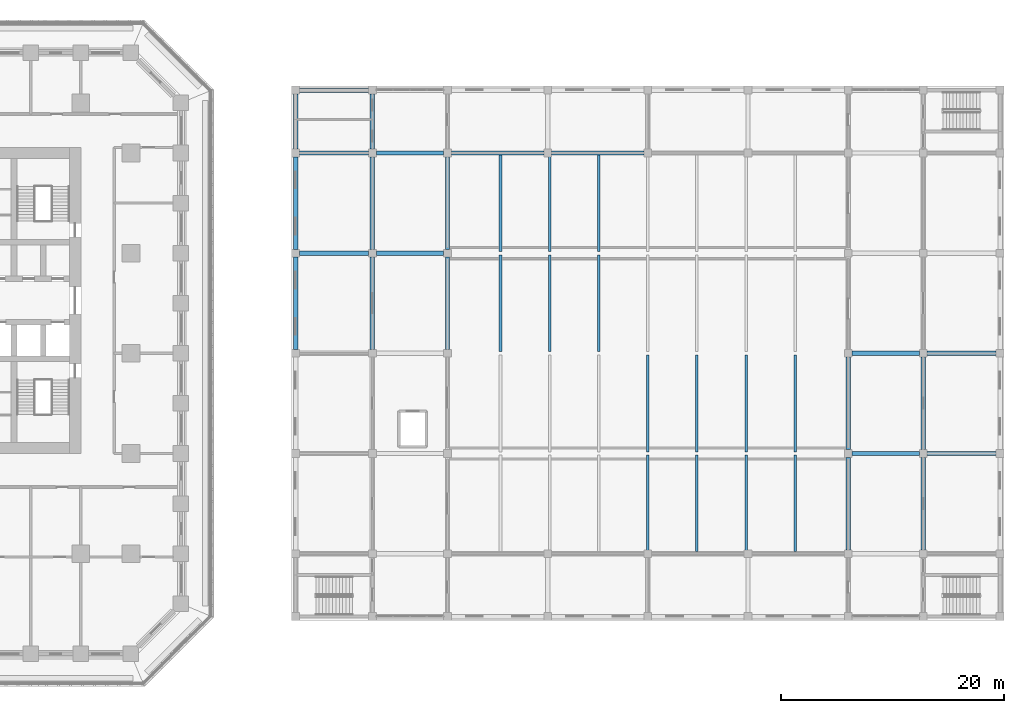
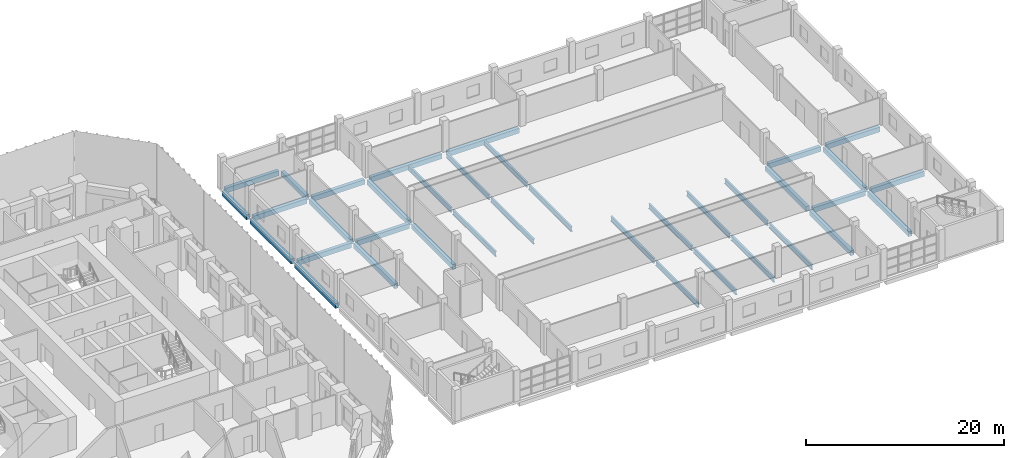
# One storey, part 5 of 31: 37 beams.
"""IFC4 building model written with IfcOpenShell, lengths in metres."""

from ifc_helpers import new_model, si_unit, direction, frame, origin, origin_2d, place, context, subcontext, project, spatial, rectangle, i_section, extrude, material, material_profile, profile_set, type_object, element, save


model = new_model("IFC4")

# Units and contexts
model_context = context("Model", 3, precision=1e-05, world=origin(), true_north=direction((0.0, 1.0)))
body_context = subcontext(model_context, "Body", "Model", "MODEL_VIEW")
ifc_project = project(units=[si_unit("LENGTHUNIT", "METRE"), si_unit("AREAUNIT", "SQUARE_METRE"), si_unit("VOLUMEUNIT", "CUBIC_METRE"), si_unit("PLANEANGLEUNIT", "RADIAN"), si_unit("MASSUNIT", "GRAM", prefix="KILO")], contexts=[model_context])

# Site, building, storey
site_placement = place(None, origin())
site = spatial("IfcSite", under=ifc_project, at=site_placement, CompositionType="ELEMENT")
building_placement = place(site_placement, origin())
building = spatial("IfcBuilding", under=site, at=building_placement, Name="Corbel Stack Research Tower", CompositionType="ELEMENT")
storey_placement = place(building_placement, frame((0.0, 0.0, 15.39990234375)))
storey = spatial("IfcBuildingStorey", under=building, at=storey_placement, Name="L03", CompositionType="ELEMENT", Elevation=15.39990234375)

# Beams
ifc_material_1 = material(Name="Concrete C40/50", Category="concrete")
ifc_material_profile_1 = material_profile(ifc_material_1, rectangle(XDim=0.39990234375, YDim=0.60009765625, at=origin_2d()), Name="RC 400 x 600")
ifc_profile_set_1 = profile_set([ifc_material_profile_1], Name="Concrete C40/50")
beam_type_1 = type_object("IfcBeamType", Name="HB1 RC beam 400 x 600", PredefinedType="BEAM", material=ifc_profile_set_1)
beam_1_placement = place(storey_placement, frame((37.300048828125, 0.35009765625, -0.5498046875), z_axis=(0.0, 1.0, 0.0), x_axis=(-1.0, 0.0, 0.0)))
element("IfcBeam", 1, at=beam_1_placement, inside=storey, type_object=beam_type_1, Name="Floor beam L03 H1HD-H1HE", PredefinedType="BEAM", context=body_context, shape_type="SweptSolid", body=[
    extrude(rectangle(XDim=0.39990234375, YDim=0.60009765625, at=origin_2d()), origin(), (0.0, 0.0, 1.0), 8.2998046875),
])
beam_2_placement = place(storey_placement, frame((37.64990234375, 9.0, -0.5498046875), z_axis=(1.0, 0.0, 0.0), x_axis=(0.0, 1.0, 0.0)))
element("IfcBeam", 2, at=beam_2_placement, inside=storey, type_object=beam_type_1, Name="Floor beam L03 H1HE-H2HE", PredefinedType="BEAM", context=body_context, shape_type="SweptSolid", body=[
    extrude(rectangle(XDim=0.39990234375, YDim=0.60009765625, at=origin_2d()), origin(), (0.0, 0.0, 1.0), 6.2001953125),
])
beam_3_placement = place(storey_placement, frame((37.300048828125, 9.35009765625, -0.5498046875), z_axis=(0.0, 1.0, 0.0), x_axis=(-1.0, 0.0, 0.0)))
element("IfcBeam", 3, at=beam_3_placement, inside=storey, type_object=beam_type_1, Name="Floor beam L03 H1HE-H1HF", PredefinedType="BEAM", context=body_context, shape_type="SweptSolid", body=[
    extrude(rectangle(XDim=0.39990234375, YDim=0.60009765625, at=origin_2d()), origin(), (0.0, 0.0, 1.0), 8.2998046875),
])
beam_4_placement = place(storey_placement, frame((37.64990234375, 18.0, -0.5498046875), z_axis=(1.0, 0.0, 0.0), x_axis=(0.0, 1.0, 0.0)))
element("IfcBeam", 4, at=beam_4_placement, inside=storey, type_object=beam_type_1, Name="Floor beam L03 H1HF-H2HF", PredefinedType="BEAM", context=body_context, shape_type="SweptSolid", body=[
    extrude(rectangle(XDim=0.39990234375, YDim=0.60009765625, at=origin_2d()), origin(), (0.0, 0.0, 1.0), 6.2001953125),
])
beam_5_placement = place(storey_placement, frame((37.300048828125, 18.35009765625, -0.5498046875), z_axis=(0.0, 1.0, 0.0), x_axis=(-1.0, 0.0, 0.0)))
element("IfcBeam", 5, at=beam_5_placement, inside=storey, type_object=beam_type_1, Name="Floor beam L03 H1HF-H1HG", PredefinedType="BEAM", context=body_context, shape_type="SweptSolid", body=[
    extrude(rectangle(XDim=0.39990234375, YDim=0.60009765625, at=origin_2d()), origin(), (0.0, 0.0, 1.0), 4.949951171875),
])
beam_6_placement = place(storey_placement, frame((37.64990234375, 23.64990234375, -0.5498046875), z_axis=(1.0, 0.0, 0.0), x_axis=(0.0, 1.0, 0.0)))
element("IfcBeam", 6, at=beam_6_placement, inside=storey, type_object=beam_type_1, Name="Floor beam L03 H1HG-H2HG", PredefinedType="BEAM", context=body_context, shape_type="SweptSolid", body=[
    extrude(rectangle(XDim=0.39990234375, YDim=0.60009765625, at=origin_2d()), origin(), (0.0, 0.0, 1.0), 6.2001953125),
])
beam_7_placement = place(storey_placement, frame((44.199951171875, 0.35009765625, -0.5498046875), z_axis=(0.0, 1.0, 0.0), x_axis=(-1.0, 0.0, 0.0)))
element("IfcBeam", 7, at=beam_7_placement, inside=storey, type_object=beam_type_1, Name="Floor beam L03 H2HD-H2HE", PredefinedType="BEAM", context=body_context, shape_type="SweptSolid", body=[
    extrude(rectangle(XDim=0.39990234375, YDim=0.60009765625, at=origin_2d()), origin(), (0.0, 0.0, 1.0), 8.2998046875),
])
beam_8_placement = place(storey_placement, frame((44.550048828125, 9.0, -0.5498046875), z_axis=(1.0, 0.0, 0.0), x_axis=(0.0, 1.0, 0.0)))
element("IfcBeam", 8, at=beam_8_placement, inside=storey, type_object=beam_type_1, Name="Floor beam L03 H2HE-H3HE", PredefinedType="BEAM", context=body_context, shape_type="SweptSolid", body=[
    extrude(rectangle(XDim=0.39990234375, YDim=0.60009765625, at=origin_2d()), origin(), (0.0, 0.0, 1.0), 6.050048828125),
])
beam_9_placement = place(storey_placement, frame((44.199951171875, 9.35009765625, -0.5498046875), z_axis=(0.0, 1.0, 0.0), x_axis=(-1.0, 0.0, 0.0)))
element("IfcBeam", 9, at=beam_9_placement, inside=storey, type_object=beam_type_1, Name="Floor beam L03 H2HE-H2HF", PredefinedType="BEAM", context=body_context, shape_type="SweptSolid", body=[
    extrude(rectangle(XDim=0.39990234375, YDim=0.60009765625, at=origin_2d()), origin(), (0.0, 0.0, 1.0), 8.2998046875),
])
beam_10_placement = place(storey_placement, frame((44.550048828125, 18.0, -0.5498046875), z_axis=(1.0, 0.0, 0.0), x_axis=(0.0, 1.0, 0.0)))
element("IfcBeam", 10, at=beam_10_placement, inside=storey, type_object=beam_type_1, Name="Floor beam L03 H2HF-H3HF", PredefinedType="BEAM", context=body_context, shape_type="SweptSolid", body=[
    extrude(rectangle(XDim=0.39990234375, YDim=0.60009765625, at=origin_2d()), origin(), (0.0, 0.0, 1.0), 6.050048828125),
])
beam_11_placement = place(storey_placement, frame((44.199951171875, 18.35009765625, -0.5498046875), z_axis=(0.0, 1.0, 0.0), x_axis=(-1.0, 0.0, 0.0)))
element("IfcBeam", 11, at=beam_11_placement, inside=storey, type_object=beam_type_1, Name="Floor beam L03 H2HF-H2HG", PredefinedType="BEAM", context=body_context, shape_type="SweptSolid", body=[
    extrude(rectangle(XDim=0.39990234375, YDim=0.60009765625, at=origin_2d()), origin(), (0.0, 0.0, 1.0), 4.949951171875),
])
for number, where, z_axis, x_axis, name in (
    (12, (50.949951171875, 0.35009765625, -0.5498046875), (0.0, 1.0, 0.0), (-1.0, 0.0, 0.0), "Floor beam L03 H3HD-H3HE"),
    (13, (50.949951171875, 9.35009765625, -0.5498046875), (0.0, 1.0, 0.0), (-1.0, 0.0, 0.0), "Floor beam L03 H3HE-H3HF"),
):
    element("IfcBeam", number, at=place(storey_placement, frame(where, z_axis=z_axis, x_axis=x_axis)), inside=storey, type_object=beam_type_1, Name=name, PredefinedType="BEAM", context=body_context, shape_type="SweptSolid", body=[
        extrude(rectangle(XDim=0.39990234375, YDim=0.60009765625, at=origin_2d()), origin(), (0.0, 0.0, 1.0), 8.2998046875),
    ])
for number, where, z_axis, x_axis, name in (
    (14, (51.300048828125, 18.0, -0.5498046875), (1.0, 0.0, 0.0), (0.0, 1.0, 0.0), "Floor beam L03 H3HF-H4HF"),
    (15, (60.300048828125, 18.0, -0.5498046875), (1.0, 0.0, 0.0), (0.0, 1.0, 0.0), "Floor beam L03 H4HF-H5HF"),
):
    element("IfcBeam", number, at=place(storey_placement, frame(where, z_axis=z_axis, x_axis=x_axis)), inside=storey, type_object=beam_type_1, Name=name, PredefinedType="BEAM", context=body_context, shape_type="SweptSolid", body=[
        extrude(rectangle(XDim=0.39990234375, YDim=0.60009765625, at=origin_2d()), origin(), (0.0, 0.0, 1.0), 8.300048828125),
    ])
beam_12_placement = place(storey_placement, frame((86.949951171875, -17.64990234375, -0.5498046875), z_axis=(0.0, 1.0, 0.0), x_axis=(-1.0, 0.0, 0.0)))
element("IfcBeam", 16, at=beam_12_placement, inside=storey, type_object=beam_type_1, Name="Floor beam L03 H7HB-H7HC", PredefinedType="BEAM", context=body_context, shape_type="SweptSolid", body=[
    extrude(rectangle(XDim=0.39990234375, YDim=0.60009765625, at=origin_2d()), origin(), (0.0, 0.0, 1.0), 8.2998046875),
])
beam_13_placement = place(storey_placement, frame((87.300048828125, -9.0, -0.5498046875), z_axis=(1.0, 0.0, 0.0), x_axis=(0.0, 1.0, 0.0)))
element("IfcBeam", 17, at=beam_13_placement, inside=storey, type_object=beam_type_1, Name="Floor beam L03 H7HC-H8HC", PredefinedType="BEAM", context=body_context, shape_type="SweptSolid", body=[
    extrude(rectangle(XDim=0.39990234375, YDim=0.60009765625, at=origin_2d()), origin(), (0.0, 0.0, 1.0), 6.050048828125),
])
beam_14_placement = place(storey_placement, frame((86.949951171875, -8.64990234375, -0.5498046875), z_axis=(0.0, 1.0, 0.0), x_axis=(-1.0, 0.0, 0.0)))
element("IfcBeam", 18, at=beam_14_placement, inside=storey, type_object=beam_type_1, Name="Floor beam L03 H7HC-H7HD", PredefinedType="BEAM", context=body_context, shape_type="SweptSolid", body=[
    extrude(rectangle(XDim=0.39990234375, YDim=0.60009765625, at=origin_2d()), origin(), (0.0, 0.0, 1.0), 8.2998046875),
])
beam_15_placement = place(storey_placement, frame((87.300048828125, 0.0, -0.5498046875), z_axis=(1.0, 0.0, 0.0), x_axis=(0.0, 1.0, 0.0)))
element("IfcBeam", 19, at=beam_15_placement, inside=storey, type_object=beam_type_1, Name="Floor beam L03 H7HD-H8HD", PredefinedType="BEAM", context=body_context, shape_type="SweptSolid", body=[
    extrude(rectangle(XDim=0.39990234375, YDim=0.60009765625, at=origin_2d()), origin(), (0.0, 0.0, 1.0), 6.050048828125),
])
beam_16_placement = place(storey_placement, frame((93.699951171875, -17.64990234375, -0.5498046875), z_axis=(0.0, 1.0, 0.0), x_axis=(-1.0, 0.0, 0.0)))
element("IfcBeam", 20, at=beam_16_placement, inside=storey, type_object=beam_type_1, Name="Floor beam L03 H8HB-H8HC", PredefinedType="BEAM", context=body_context, shape_type="SweptSolid", body=[
    extrude(rectangle(XDim=0.39990234375, YDim=0.60009765625, at=origin_2d()), origin(), (0.0, 0.0, 1.0), 8.2998046875),
])
beam_17_placement = place(storey_placement, frame((94.050048828125, -9.0, -0.5498046875), z_axis=(1.0, 0.0, 0.0), x_axis=(0.0, 1.0, 0.0)))
element("IfcBeam", 21, at=beam_17_placement, inside=storey, type_object=beam_type_1, Name="Floor beam L03 H8HC-H9HC", PredefinedType="BEAM", context=body_context, shape_type="SweptSolid", body=[
    extrude(rectangle(XDim=0.39990234375, YDim=0.60009765625, at=origin_2d()), origin(), (0.0, 0.0, 1.0), 6.199951171875),
])
beam_18_placement = place(storey_placement, frame((93.699951171875, -8.64990234375, -0.5498046875), z_axis=(0.0, 1.0, 0.0), x_axis=(-1.0, 0.0, 0.0)))
element("IfcBeam", 22, at=beam_18_placement, inside=storey, type_object=beam_type_1, Name="Floor beam L03 H8HC-H8HD", PredefinedType="BEAM", context=body_context, shape_type="SweptSolid", body=[
    extrude(rectangle(XDim=0.39990234375, YDim=0.60009765625, at=origin_2d()), origin(), (0.0, 0.0, 1.0), 8.2998046875),
])
beam_19_placement = place(storey_placement, frame((94.050048828125, 0.0, -0.5498046875), z_axis=(1.0, 0.0, 0.0), x_axis=(0.0, 1.0, 0.0)))
element("IfcBeam", 23, at=beam_19_placement, inside=storey, type_object=beam_type_1, Name="Floor beam L03 H8HD-H9HD", PredefinedType="BEAM", context=body_context, shape_type="SweptSolid", body=[
    extrude(rectangle(XDim=0.39990234375, YDim=0.60009765625, at=origin_2d()), origin(), (0.0, 0.0, 1.0), 6.199951171875),
])
ifc_material_2 = material(Name="Steel S355", Category="steel")
ifc_material_profile_2 = material_profile(ifc_material_2, i_section(OverallWidth=0.22802734375, OverallDepth=0.60302734375, WebThickness=0.010986328125, FlangeThickness=0.014892578125, at=origin_2d()), Name="W24x68")
ifc_profile_set_2 = profile_set([ifc_material_profile_2], Name="Steel S355")
beam_type_2 = type_object("IfcBeamType", Name="HB2 steel beam W24x68", PredefinedType="BEAM", material=ifc_profile_set_2)
for number, where, z_axis, x_axis, name in (
    (24, (68.949951171875, -17.800048828125, -0.551513671875), (0.0, 1.0, 0.0), (-1.0, 0.0, 0.0), "Steel floor beam L03 bay 1 line 4"),
    (25, (73.362548828125, -17.800048828125, -0.551513671875), (0.0, 1.0, 0.0), (-1.0, 0.0, 0.0), "Steel floor beam L03 bay 1 line 5"),
    (26, (77.77490234375, -17.800048828125, -0.551513671875), (0.0, 1.0, 0.0), (-1.0, 0.0, 0.0), "Steel floor beam L03 bay 1 line 6"),
    (27, (82.1875, -17.800048828125, -0.551513671875), (0.0, 1.0, 0.0), (-1.0, 0.0, 0.0), "Steel floor beam L03 bay 1 line 7"),
):
    element("IfcBeam", number, at=place(storey_placement, frame(where, z_axis=z_axis, x_axis=x_axis)), inside=storey, type_object=beam_type_2, Name=name, PredefinedType="BEAM", context=body_context, shape_type="SweptSolid", body=[
        extrude(i_section(OverallWidth=0.22802734375, OverallDepth=0.60302734375, WebThickness=0.010986328125, FlangeThickness=0.014892578125, at=origin_2d()), origin(), (0.0, 0.0, 1.0), 8.6474609375),
    ])
for number, where, z_axis, x_axis, name in (
    (28, (68.949951171875, -8.847412109375, -0.551513671875), (0.0, 1.0, 0.0), (-1.0, 0.0, 0.0), "Steel floor beam L03 bay 2 line 4"),
    (29, (73.362548828125, -8.847412109375, -0.551513671875), (0.0, 1.0, 0.0), (-1.0, 0.0, 0.0), "Steel floor beam L03 bay 2 line 5"),
    (30, (77.77490234375, -8.847412109375, -0.551513671875), (0.0, 1.0, 0.0), (-1.0, 0.0, 0.0), "Steel floor beam L03 bay 2 line 6"),
    (31, (82.1875, -8.847412109375, -0.551513671875), (0.0, 1.0, 0.0), (-1.0, 0.0, 0.0), "Steel floor beam L03 bay 2 line 7"),
    (32, (55.71240234375, 0.152587890625, -0.551513671875), (0.0, 1.0, 0.0), (-1.0, 0.0, 0.0), "Steel floor beam L03 bay 3 line 1"),
    (33, (60.125, 0.152587890625, -0.551513671875), (0.0, 1.0, 0.0), (-1.0, 0.0, 0.0), "Steel floor beam L03 bay 3 line 2"),
    (34, (64.53759765625, 0.152587890625, -0.551513671875), (0.0, 1.0, 0.0), (-1.0, 0.0, 0.0), "Steel floor beam L03 bay 3 line 3"),
):
    element("IfcBeam", number, at=place(storey_placement, frame(where, z_axis=z_axis, x_axis=x_axis)), inside=storey, type_object=beam_type_2, Name=name, PredefinedType="BEAM", context=body_context, shape_type="SweptSolid", body=[
        extrude(i_section(OverallWidth=0.22802734375, OverallDepth=0.60302734375, WebThickness=0.010986328125, FlangeThickness=0.014892578125, at=origin_2d()), origin(), (0.0, 0.0, 1.0), 8.69482421875),
    ])
for number, where, z_axis, x_axis, name in (
    (35, (55.71240234375, 9.152587890625, -0.551513671875), (0.0, 1.0, 0.0), (-1.0, 0.0, 0.0), "Steel floor beam L03 bay 4 line 1"),
    (36, (60.125, 9.152587890625, -0.551513671875), (0.0, 1.0, 0.0), (-1.0, 0.0, 0.0), "Steel floor beam L03 bay 4 line 2"),
    (37, (64.53759765625, 9.152587890625, -0.551513671875), (0.0, 1.0, 0.0), (-1.0, 0.0, 0.0), "Steel floor beam L03 bay 4 line 3"),
):
    element("IfcBeam", number, at=place(storey_placement, frame(where, z_axis=z_axis, x_axis=x_axis)), inside=storey, type_object=beam_type_2, Name=name, PredefinedType="BEAM", context=body_context, shape_type="SweptSolid", body=[
        extrude(i_section(OverallWidth=0.22802734375, OverallDepth=0.60302734375, WebThickness=0.010986328125, FlangeThickness=0.014892578125, at=origin_2d()), origin(), (0.0, 0.0, 1.0), 8.6474609375),
    ])

save(model, "model.ifc")
